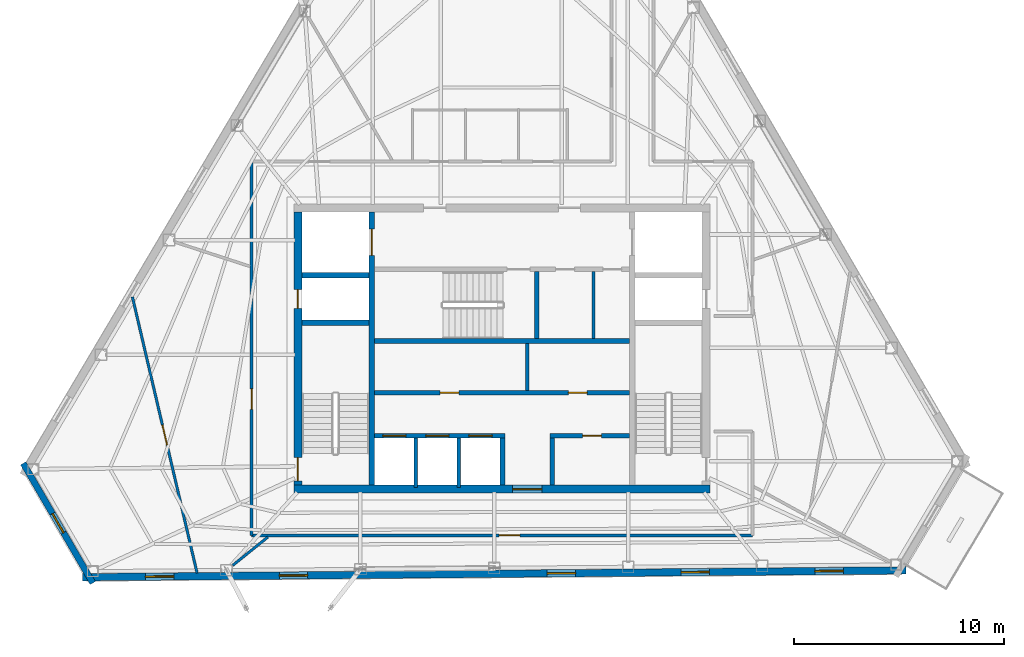
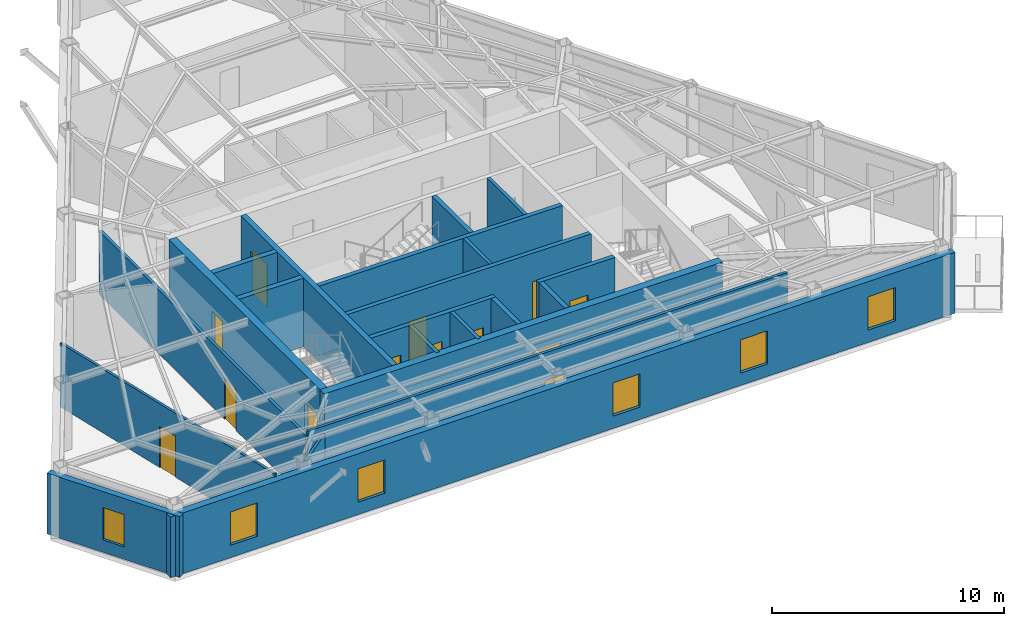
# One storey, part 6 of 10: 22 walls, 13 doors, 6 windows, 19 openings.
"""IFC4 building model written with IfcOpenShell, lengths in metres."""

from ifc_helpers import new_model, si_unit, direction, frame, frame_2d, origin, place, context, subcontext, project, spatial, rectangle, extrude, material, layer, layer_set, type_object, element, fill, save


model = new_model("IFC4")

# Units and contexts
model_context = context("Model", 3, precision=1e-05, world=origin(), true_north=direction((0.0, 1.0)))
body_context = subcontext(model_context, "Body", "Model", "MODEL_VIEW")
ifc_project = project(units=[si_unit("LENGTHUNIT", "METRE"), si_unit("AREAUNIT", "SQUARE_METRE"), si_unit("VOLUMEUNIT", "CUBIC_METRE"), si_unit("PLANEANGLEUNIT", "RADIAN"), si_unit("MASSUNIT", "GRAM", prefix="KILO")], contexts=[model_context])

# Site, building, storey
site_placement = place(None, origin())
site = spatial("IfcSite", under=ifc_project, at=site_placement, CompositionType="ELEMENT")
building_placement = place(site_placement, origin())
building = spatial("IfcBuilding", under=site, at=building_placement, Name="Kavelnor Concourse Tower", CompositionType="ELEMENT")
storey_placement = place(building_placement, frame((0.0, 0.0, 281.85009765625)))
storey = spatial("IfcBuildingStorey", under=building, at=storey_placement, Name="L71", CompositionType="ELEMENT", Elevation=281.85009765625)

# Wall, opening, door
ifc_material_1 = material(Name="Concrete C50/60", Category="concrete")
ifc_layer_1 = layer(ifc_material_1, 0.3798828125, Name="Concrete C50/60")
ifc_layer_set_1 = layer_set([ifc_layer_1], Name="Concrete C50/60")
wall_type_1 = type_object("IfcWallType", Name="WL-CORE-Z4-380", PredefinedType="SOLIDWALL", material=ifc_layer_set_1)
wall_1_placement = place(storey_placement, frame((28.10009765625, 9.409912109375, 0.0), z_axis=(0.0, 0.0, 1.0), x_axis=(1.0, 0.0, 0.0)))
wall_1 = element("IfcWall", 1, at=wall_1_placement, inside=storey, type_object=wall_type_1, Name="L71 Central Core South Shear Wall", PredefinedType="SOLIDWALL", context=body_context, shape_type="SweptSolid", body=[
    extrude(rectangle(XDim=19.7998046875, YDim=0.3798828125, at=frame_2d((9.89990234375, 0.0))), origin(), (0.0, 0.0, 1.0), 3.60986328125),
])
opening_1_placement = place(wall_1_placement, frame((10.39990234375, 0.0, 0.0)))
opening_1 = element("IfcOpeningElement", 2, at=opening_1_placement, cuts=wall_1, Name="Opening SD-140", PredefinedType="OPENING", context=body_context, shape_type="SweptSolid", body=[
    extrude(rectangle(XDim=1.39990234375, YDim=2.199951171875, at=frame_2d((0.699951171875, 1.10009765625))), frame((0.0, 0.199951171875, 0.0), z_axis=(0.0, -1.0, 0.0), x_axis=(1.0, 0.0, 0.0)), (0.0, 0.0, 1.0), 0.39990234375),
])
ifc_material_2 = material(Name="Solid-core hardwood timber", Category="wood")
door_type_1 = type_object("IfcDoorType", Name="DR-SUITE-ENTRY-1400", OperationType="NOTDEFINED", PredefinedType="DOOR", material=ifc_material_2)
door_1_placement = place(opening_1_placement, origin())
door_1 = element("IfcDoor", 3, at=door_1_placement, inside=storey, type_object=door_type_1, Name="L71 Passenger Lift Lobby Entry Door", OperationType="SINGLE_SWING_RIGHT", OverallHeight=2.199951171875, OverallWidth=1.39990234375, PredefinedType="DOOR", context=body_context, shape_type="SweptSolid", body=[
    extrude(rectangle(XDim=1.39990234375, YDim=2.199951171875, at=frame_2d((0.699951171875, 1.10009765625))), frame((0.0, 0.02490234375, 0.0), z_axis=(0.0, -1.0, 0.0), x_axis=(1.0, 0.0, 0.0)), (0.0, 0.0, 1.0), 0.050048828125),
])
fill(opening_1, door_1)

# Wall, openings, doors
wall_2_placement = place(storey_placement, frame((28.2900390625, 9.60009765625, 0.0), z_axis=(0.0, 0.0, 1.0), x_axis=(0.0, 1.0, 0.0)))
wall_2 = element("IfcWall", 4, at=wall_2_placement, inside=storey, type_object=wall_type_1, Name="L71 Central Core West Shear Wall", PredefinedType="SOLIDWALL", context=body_context, shape_type="SweptSolid", body=[
    extrude(rectangle(XDim=13.0, YDim=0.3798828125, at=frame_2d((6.5, 0.0))), origin(), (0.0, 0.0, 1.0), 3.60986328125),
])
opening_2_placement = place(wall_2_placement, frame((0.199951171875, 0.0, 0.0)))
opening_2 = element("IfcOpeningElement", 5, at=opening_2_placement, cuts=wall_2, Name="Opening FD-110", PredefinedType="OPENING", context=body_context, shape_type="SweptSolid", body=[
    extrude(rectangle(XDim=1.10009765625, YDim=2.14990234375, at=frame_2d((0.550048828125, 1.074951171875))), frame((0.0, 0.199951171875, 0.0), z_axis=(0.0, -1.0, 0.0), x_axis=(1.0, 0.0, 0.0)), (0.0, 0.0, 1.0), 0.39990234375),
])
opening_3_placement = place(wall_2_placement, frame((8.39990234375, 0.0, 0.0)))
opening_3 = element("IfcOpeningElement", 6, at=opening_3_placement, cuts=wall_2, Name="Opening FD-090", PredefinedType="OPENING", context=body_context, shape_type="SweptSolid", body=[
    extrude(rectangle(XDim=0.89990234375, YDim=2.10009765625, at=frame_2d((0.449951171875, 1.050048828125))), frame((0.0, 0.199951171875, 0.0), z_axis=(0.0, -1.0, 0.0), x_axis=(1.0, 0.0, 0.0)), (0.0, 0.0, 1.0), 0.39990234375),
])
ifc_material_3 = material(Name="Steel Grade 350", Category="steel")
door_type_2 = type_object("IfcDoorType", Name="DR-RISER-FIRE-900", OperationType="NOTDEFINED", PredefinedType="DOOR", material=ifc_material_3)
door_2_placement = place(opening_3_placement, origin())
door_2 = element("IfcDoor", 7, at=door_2_placement, inside=storey, type_object=door_type_2, Name="L71 West Riser Access Door", OperationType="SINGLE_SWING_RIGHT", OverallHeight=2.10009765625, OverallWidth=0.89990234375, PredefinedType="DOOR", context=body_context, shape_type="SweptSolid", body=[
    extrude(rectangle(XDim=0.89990234375, YDim=2.10009765625, at=frame_2d((0.449951171875, 1.050048828125))), frame((0.0, 0.02490234375, 0.0), z_axis=(0.0, -1.0, 0.0), x_axis=(1.0, 0.0, 0.0)), (0.0, 0.0, 1.0), 0.050048828125),
])
fill(opening_3, door_2)
door_type_3 = type_object("IfcDoorType", Name="DR-STAIR-FIRE-1100", OperationType="NOTDEFINED", PredefinedType="DOOR", material=ifc_material_3)
door_3_placement = place(opening_2_placement, origin())
door_3 = element("IfcDoor", 8, at=door_3_placement, inside=storey, type_object=door_type_3, Name="L71 Stair ST1 Fire Door", OperationType="SINGLE_SWING_LEFT", OverallHeight=2.14990234375, OverallWidth=1.10009765625, PredefinedType="DOOR", context=body_context, shape_type="SweptSolid", body=[
    extrude(rectangle(XDim=1.10009765625, YDim=2.14990234375, at=frame_2d((0.550048828125, 1.074951171875))), frame((0.0, 0.02490234375, 0.0), z_axis=(0.0, -1.0, 0.0), x_axis=(1.0, 0.0, 0.0)), (0.0, 0.0, 1.0), 0.050048828125),
])
fill(opening_2, door_3)

# Wall, opening, window
ifc_material_4 = material(Name="Buff ironspot clay face brick masonry", Category="masonry")
ifc_layer_2 = layer(ifc_material_4, 0.300048828125, Name="Buff ironspot clay face brick masonry")
ifc_layer_set_2 = layer_set([ifc_layer_2], Name="Buff ironspot clay face brick masonry")
wall_type_2 = type_object("IfcWallType", Name="WL-EXT-BUFF-BRICK-FOLD-300", PredefinedType="STANDARD", material=ifc_layer_set_2)
wall_3_placement = place(storey_placement, frame((18.532470703125, 4.939697265625, 0.0), z_axis=(0.0, 0.0, 1.0), x_axis=(-0.502683595053, 0.864470475646, 0.0)))
wall_3 = element("IfcWall", 9, at=wall_3_placement, inside=storey, type_object=wall_type_2, Name="L71 Exterior Brick Facade Wall E2", PredefinedType="STANDARD", context=body_context, shape_type="SweptSolid", body=[
    extrude(rectangle(XDim=6.586181640625, YDim=0.300048828125, at=frame_2d((3.29296875, 0.0))), origin(), (0.0, 0.0, 1.0), 3.19580078125),
])
opening_4_placement = place(wall_3_placement, frame((2.76806640625, 0.0, 0.64990234375)))
opening_4 = element("IfcOpeningElement", 10, at=opening_4_placement, cuts=wall_3, Name="Opening W-06", PredefinedType="OPENING", context=body_context, shape_type="SweptSolid", body=[
    extrude(rectangle(XDim=1.050048828125, YDim=1.699951171875, at=frame_2d((0.52490234375, 0.85009765625))), frame((0.0, 0.16015625, 0.0), z_axis=(0.0, -1.0, 0.0), x_axis=(1.0, 0.0, 0.0)), (0.0, 0.0, 1.0), 0.320068359375),
])
ifc_material_5 = material(Name="Double low-E argon insulated glazing", Category="glass")
window_type_1 = type_object("IfcWindowType", Name="WIN-FOLD-1050", PartitioningType="SINGLE_PANEL", PredefinedType="WINDOW", material=ifc_material_5)
window_1_placement = place(opening_4_placement, origin())
window_1 = element("IfcWindow", 11, at=window_1_placement, inside=storey, type_object=window_type_1, Name="L71 Chamfer-Fold Facet Window C1", OverallHeight=1.699951171875, OverallWidth=1.050048828125, PartitioningType="SINGLE_PANEL", PredefinedType="WINDOW", context=body_context, shape_type="SweptSolid", body=[
    extrude(rectangle(XDim=1.050048828125, YDim=1.699951171875, at=frame_2d((0.52490234375, 0.85009765625))), frame((0.0, 0.030029296875, 0.0), z_axis=(0.0, -1.0, 0.0), x_axis=(1.0, 0.0, 0.0)), (0.0, 0.0, 1.0), 0.06005859375),
])
fill(opening_4, window_1)

# Wall, openings, windows
ifc_material_6 = material(Name="Red-ochre clay face brick masonry", Category="masonry")
ifc_layer_3 = layer(ifc_material_6, 0.35009765625, Name="Red-ochre clay face brick masonry")
ifc_layer_set_3 = layer_set([ifc_layer_3], Name="Red-ochre clay face brick masonry")
wall_type_3 = type_object("IfcWallType", Name="WL-EXT-RED-BRICK-PIER-350", PredefinedType="STANDARD", material=ifc_layer_set_3)
wall_4_placement = place(storey_placement, frame((57.21240234375, 5.538818359375, 0.0), z_axis=(0.0, 0.0, 1.0), x_axis=(-0.999965837877, -0.008265777521, 0.0)))
wall_4 = element("IfcWall", 12, at=wall_4_placement, inside=storey, type_object=wall_type_3, Name="L71 Exterior Brick Facade Wall E3", PredefinedType="STANDARD", context=body_context, shape_type="SweptSolid", body=[
    extrude(rectangle(XDim=39.1650390625, YDim=0.35009765625, at=frame_2d((19.58251953125, 0.0))), origin(), (0.0, 0.0, 1.0), 3.19580078125),
])
opening_5_placement = place(wall_4_placement, frame((34.82666015625, 0.0, 0.64990234375)))
opening_5 = element("IfcOpeningElement", 13, at=opening_5_placement, cuts=wall_4, Name="Opening W-04", PredefinedType="OPENING", context=body_context, shape_type="SweptSolid", body=[
    extrude(rectangle(XDim=1.35009765625, YDim=1.75, at=frame_2d((0.675048828125, 0.875))), frame((0.0, 0.18505859375, 0.0), z_axis=(0.0, -1.0, 0.0), x_axis=(1.0, 0.0, 0.0)), (0.0, 0.0, 1.0), 0.3701171875),
])
opening_6_placement = place(wall_4_placement, frame((28.45751953125, 0.0, 0.64990234375)))
opening_6 = element("IfcOpeningElement", 14, at=opening_6_placement, cuts=wall_4, Name="Opening W-04", PredefinedType="OPENING", context=body_context, shape_type="SweptSolid", body=[
    extrude(rectangle(XDim=1.35009765625, YDim=1.75, at=frame_2d((0.675048828125, 0.875))), frame((0.0, 0.18505859375, 0.0), z_axis=(0.0, -1.0, 0.0), x_axis=(1.0, 0.0, 0.0)), (0.0, 0.0, 1.0), 0.3701171875),
])
opening_7_placement = place(wall_4_placement, frame((15.718994140625, 0.0, 0.64990234375)))
opening_7 = element("IfcOpeningElement", 15, at=opening_7_placement, cuts=wall_4, Name="Opening W-04", PredefinedType="OPENING", context=body_context, shape_type="SweptSolid", body=[
    extrude(rectangle(XDim=1.35009765625, YDim=1.75, at=frame_2d((0.675048828125, 0.875))), frame((0.0, 0.18505859375, 0.0), z_axis=(0.0, -1.0, 0.0), x_axis=(1.0, 0.0, 0.0)), (0.0, 0.0, 1.0), 0.3701171875),
])
opening_8_placement = place(wall_4_placement, frame((9.349609375, 0.0, 0.64990234375)))
opening_8 = element("IfcOpeningElement", 16, at=opening_8_placement, cuts=wall_4, Name="Opening W-04", PredefinedType="OPENING", context=body_context, shape_type="SweptSolid", body=[
    extrude(rectangle(XDim=1.35009765625, YDim=1.75, at=frame_2d((0.675048828125, 0.875))), frame((0.0, 0.18505859375, 0.0), z_axis=(0.0, -1.0, 0.0), x_axis=(1.0, 0.0, 0.0)), (0.0, 0.0, 1.0), 0.3701171875),
])
opening_9_placement = place(wall_4_placement, frame((2.98046875, 0.0, 0.64990234375)))
opening_9 = element("IfcOpeningElement", 17, at=opening_9_placement, cuts=wall_4, Name="Opening W-04", PredefinedType="OPENING", context=body_context, shape_type="SweptSolid", body=[
    extrude(rectangle(XDim=1.35009765625, YDim=1.75, at=frame_2d((0.675048828125, 0.875))), frame((0.0, 0.18505859375, 0.0), z_axis=(0.0, -1.0, 0.0), x_axis=(1.0, 0.0, 0.0)), (0.0, 0.0, 1.0), 0.3701171875),
])
window_type_2 = type_object("IfcWindowType", Name="WIN-PIER-Z4-1350", PartitioningType="SINGLE_PANEL", PredefinedType="WINDOW", material=ifc_material_5)
window_2_placement = place(opening_5_placement, origin())
window_2 = element("IfcWindow", 18, at=window_2_placement, inside=storey, type_object=window_type_2, Name="L71 Deep-Set Brick Pier Window F1-B0", OverallHeight=1.75, OverallWidth=1.35009765625, PartitioningType="SINGLE_PANEL", PredefinedType="WINDOW", context=body_context, shape_type="SweptSolid", body=[
    extrude(rectangle(XDim=1.35009765625, YDim=1.75, at=frame_2d((0.675048828125, 0.875))), frame((0.0, 0.030029296875, 0.0), z_axis=(0.0, -1.0, 0.0), x_axis=(1.0, 0.0, 0.0)), (0.0, 0.0, 1.0), 0.06005859375),
])
fill(opening_5, window_2)
window_3_placement = place(opening_6_placement, origin())
window_3 = element("IfcWindow", 19, at=window_3_placement, inside=storey, type_object=window_type_2, Name="L71 Deep-Set Brick Pier Window F1-B1", OverallHeight=1.75, OverallWidth=1.35009765625, PartitioningType="SINGLE_PANEL", PredefinedType="WINDOW", context=body_context, shape_type="SweptSolid", body=[
    extrude(rectangle(XDim=1.35009765625, YDim=1.75, at=frame_2d((0.675048828125, 0.875))), frame((0.0, 0.030029296875, 0.0), z_axis=(0.0, -1.0, 0.0), x_axis=(1.0, 0.0, 0.0)), (0.0, 0.0, 1.0), 0.06005859375),
])
fill(opening_6, window_3)
window_4_placement = place(opening_7_placement, origin())
window_4 = element("IfcWindow", 20, at=window_4_placement, inside=storey, type_object=window_type_2, Name="L71 Deep-Set Brick Pier Window F1-B3", OverallHeight=1.75, OverallWidth=1.35009765625, PartitioningType="SINGLE_PANEL", PredefinedType="WINDOW", context=body_context, shape_type="SweptSolid", body=[
    extrude(rectangle(XDim=1.35009765625, YDim=1.75, at=frame_2d((0.675048828125, 0.875))), frame((0.0, 0.030029296875, 0.0), z_axis=(0.0, -1.0, 0.0), x_axis=(1.0, 0.0, 0.0)), (0.0, 0.0, 1.0), 0.06005859375),
])
fill(opening_7, window_4)
window_5_placement = place(opening_8_placement, origin())
window_5 = element("IfcWindow", 21, at=window_5_placement, inside=storey, type_object=window_type_2, Name="L71 Deep-Set Brick Pier Window F1-B4", OverallHeight=1.75, OverallWidth=1.35009765625, PartitioningType="SINGLE_PANEL", PredefinedType="WINDOW", context=body_context, shape_type="SweptSolid", body=[
    extrude(rectangle(XDim=1.35009765625, YDim=1.75, at=frame_2d((0.675048828125, 0.875))), frame((0.0, 0.030029296875, 0.0), z_axis=(0.0, -1.0, 0.0), x_axis=(1.0, 0.0, 0.0)), (0.0, 0.0, 1.0), 0.06005859375),
])
fill(opening_8, window_5)
window_6_placement = place(opening_9_placement, origin())
window_6 = element("IfcWindow", 22, at=window_6_placement, inside=storey, type_object=window_type_2, Name="L71 Deep-Set Brick Pier Window F1-B5", OverallHeight=1.75, OverallWidth=1.35009765625, PartitioningType="SINGLE_PANEL", PredefinedType="WINDOW", context=body_context, shape_type="SweptSolid", body=[
    extrude(rectangle(XDim=1.35009765625, YDim=1.75, at=frame_2d((0.675048828125, 0.875))), frame((0.0, 0.030029296875, 0.0), z_axis=(0.0, -1.0, 0.0), x_axis=(1.0, 0.0, 0.0)), (0.0, 0.0, 1.0), 0.06005859375),
])
fill(opening_9, window_6)

# Wall, opening, door
ifc_material_7 = material(Name="Gypsum plasterboard on light-gauge steel studs", Category="steel")
ifc_layer_4 = layer(ifc_material_7, 0.14501953125, Name="Gypsum plasterboard on light-gauge steel studs")
ifc_layer_set_4 = layer_set([ifc_layer_4], Name="Gypsum plasterboard on light-gauge steel studs")
wall_type_4 = type_object("IfcWallType", Name="WL-INT-CORR-145", PredefinedType="PARTITIONING", material=ifc_layer_set_4)
wall_5_placement = place(storey_placement, frame((49.909912109375, 7.2099609375, 0.0), z_axis=(0.0, 0.0, 1.0), x_axis=(-1.0, 0.0, 0.0)))
wall_5 = element("IfcWall", 23, at=wall_5_placement, inside=storey, type_object=wall_type_4, Name="L71 Corridor Wall WL-L71-CR-09", PredefinedType="PARTITIONING", context=body_context, shape_type="SweptSolid", body=[
    extrude(rectangle(XDim=23.81982421875, YDim=0.14501953125, at=frame_2d((11.909912109375, 0.0))), origin(), (0.0, 0.0, 1.0), 3.60986328125),
])
opening_10_placement = place(wall_5_placement, frame((11.06494140625, 0.0, 0.0)))
opening_10 = element("IfcOpeningElement", 24, at=opening_10_placement, cuts=wall_5, Name="Opening OD-098", PredefinedType="OPENING", context=body_context, shape_type="SweptSolid", body=[
    extrude(rectangle(XDim=0.97998046875, YDim=2.14990234375, at=frame_2d((0.489990234375, 1.074951171875))), frame((0.0, 0.08251953125, 0.0), z_axis=(0.0, -1.0, 0.0), x_axis=(1.0, 0.0, 0.0)), (0.0, 0.0, 1.0), 0.1650390625),
])
door_type_4 = type_object("IfcDoorType", Name="DR-OFFICE-980", OperationType="NOTDEFINED", PredefinedType="DOOR", material=ifc_material_2)
door_4_placement = place(opening_10_placement, origin())
door_4 = element("IfcDoor", 25, at=door_4_placement, inside=storey, type_object=door_type_4, Name="L71 Tenant Bookstore Retail Shop 07 Door", OperationType="SINGLE_SWING_LEFT", OverallHeight=2.14990234375, OverallWidth=0.97998046875, PredefinedType="DOOR", context=body_context, shape_type="SweptSolid", body=[
    extrude(rectangle(XDim=0.97998046875, YDim=2.14990234375, at=frame_2d((0.489990234375, 1.074951171875))), frame((0.0, 0.02490234375, 0.0), z_axis=(0.0, -1.0, 0.0), x_axis=(1.0, 0.0, 0.0)), (0.0, 0.0, 1.0), 0.050048828125),
])
fill(opening_10, door_4)

wall_6_placement = place(storey_placement, frame((26.090087890625, 7.2099609375, 0.0), z_axis=(0.0, 0.0, 1.0), x_axis=(0.0, 1.0, 0.0)))
wall_6 = element("IfcWall", 26, at=wall_6_placement, inside=storey, type_object=wall_type_4, Name="L71 Corridor Wall WL-L71-CR-10", PredefinedType="PARTITIONING", context=body_context, shape_type="SweptSolid", body=[
    extrude(rectangle(XDim=17.780029296875, YDim=0.14501953125, at=frame_2d((8.89013671875, 0.0))), origin(), (0.0, 0.0, 1.0), 3.348876953125),
])
opening_11_placement = place(wall_6_placement, frame((5.989013671875, 0.0, 0.0)))
opening_11 = element("IfcOpeningElement", 27, at=opening_11_placement, cuts=wall_6, Name="Opening OD-098", PredefinedType="OPENING", context=body_context, shape_type="SweptSolid", body=[
    extrude(rectangle(XDim=0.97998046875, YDim=2.14990234375, at=frame_2d((0.489990234375, 1.074951171875))), frame((0.0, 0.08251953125, 0.0), z_axis=(0.0, -1.0, 0.0), x_axis=(1.0, 0.0, 0.0)), (0.0, 0.0, 1.0), 0.1650390625),
])
door_5_placement = place(opening_11_placement, origin())
door_5 = element("IfcDoor", 28, at=door_5_placement, inside=storey, type_object=door_type_4, Name="L71 Architectural Design Studio 05 Door", OperationType="SINGLE_SWING_LEFT", OverallHeight=2.14990234375, OverallWidth=0.97998046875, PredefinedType="DOOR", context=body_context, shape_type="SweptSolid", body=[
    extrude(rectangle(XDim=0.97998046875, YDim=2.14990234375, at=frame_2d((0.489990234375, 1.074951171875))), frame((0.0, 0.02490234375, 0.0), z_axis=(0.0, -1.0, 0.0), x_axis=(1.0, 0.0, 0.0)), (0.0, 0.0, 1.0), 0.050048828125),
])
fill(opening_11, door_5)

# Walls
ifc_layer_5 = layer(ifc_material_7, 0.1650390625, Name="Gypsum plasterboard on light-gauge steel studs")
ifc_layer_set_5 = layer_set([ifc_layer_5], Name="Gypsum plasterboard on light-gauge steel studs")
wall_type_5 = type_object("IfcWallType", Name="WL-INT-FIRE-165", PredefinedType="PARTITIONING", material=ifc_layer_set_5)
for number, where, z_axis, x_axis, name in (
    (29, (33.89990234375, 9.489990234375, 0.0), (0.0, 0.0, 1.0), (0.0, 1.0, 0.0), "L71 Lift Shaft Divider LP7"),
    (30, (35.949951171875, 9.489990234375, 0.0), (0.0, 0.0, 1.0), (0.0, 1.0, 0.0), "L71 Lift Shaft Divider LP8"),
):
    element("IfcWall", number, at=place(storey_placement, frame(where, z_axis=z_axis, x_axis=x_axis)), inside=storey, type_object=wall_type_5, Name=name, PredefinedType="PARTITIONING", context=body_context, shape_type="SweptSolid", body=[
        extrude(rectangle(XDim=2.35009765625, YDim=0.1650390625, at=frame_2d((1.175048828125, 0.0))), origin(), (0.0, 0.0, 1.0), 3.60986328125),
    ])
wall_7_placement = place(storey_placement, frame((39.199951171875, 14.10009765625, 0.0), z_axis=(0.0, 0.0, 1.0), x_axis=(0.0, 1.0, 0.0)))
element("IfcWall", 31, at=wall_7_placement, inside=storey, type_object=wall_type_5, Name="L71 Reclaimed Core Partition C", PredefinedType="PARTITIONING", context=body_context, shape_type="SweptSolid", body=[
    extrude(rectangle(XDim=2.239990234375, YDim=0.1650390625, at=frame_2d((1.1201171875, 0.0))), origin(), (0.0, 0.0, 1.0), 3.60986328125),
])
wall_8_placement = place(storey_placement, frame((42.35009765625, 16.56005859375, 0.0), z_axis=(0.0, 0.0, 1.0), x_axis=(0.0, 1.0, 0.0)))
element("IfcWall", 32, at=wall_8_placement, inside=storey, type_object=wall_type_5, Name="L71 Core Support Asymmetric Divider", PredefinedType="PARTITIONING", context=body_context, shape_type="SweptSolid", body=[
    extrude(rectangle(XDim=3.199951171875, YDim=0.1650390625, at=frame_2d((1.60009765625, 0.0))), origin(), (0.0, 0.0, 1.0), 3.60986328125),
])
ifc_layer_6 = layer(ifc_material_7, 0.125, Name="Gypsum plasterboard on light-gauge steel studs")
ifc_layer_set_6 = layer_set([ifc_layer_6], Name="Gypsum plasterboard on light-gauge steel studs")
wall_type_6 = type_object("IfcWallType", Name="WL-INT-SUITE-125", PredefinedType="PARTITIONING", material=ifc_layer_set_6)
wall_9_placement = place(storey_placement, frame((26.864990234375, 7.12939453125, 0.0), z_axis=(0.0, 0.0, 1.0), x_axis=(-0.778737044486, -0.627350472658, 0.0)))
element("IfcWall", 33, at=wall_9_placement, inside=storey, type_object=wall_type_6, Name="L71 Radial Suite Partition 05", PredefinedType="PARTITIONING", context=body_context, shape_type="SweptSolid", body=[
    extrude(rectangle(XDim=2.1611328125, YDim=0.125, at=frame_2d((1.08056640625, 0.0))), origin(), (0.0, 0.0, 1.0), 3.245849609375),
])

# Wall, opening, door
wall_10_placement = place(storey_placement, frame((20.41552734375, 18.5498046875, 0.0), z_axis=(0.0, 0.0, 1.0), x_axis=(0.228070207972, -0.973644688906, 0.0)))
wall_10 = element("IfcWall", 34, at=wall_10_placement, inside=storey, type_object=wall_type_6, Name="L71 Suite Subdivision Partition 04", PredefinedType="PARTITIONING", context=body_context, shape_type="SweptSolid", body=[
    extrude(rectangle(XDim=13.495361328125, YDim=0.125, at=frame_2d((6.74755859375, 0.0))), origin(), (0.0, 0.0, 1.0), 3.348876953125),
])
opening_12_placement = place(wall_10_placement, frame((6.257568359375, 0.0, 0.0)))
opening_12 = element("IfcOpeningElement", 35, at=opening_12_placement, cuts=wall_10, Name="Opening OD-098", PredefinedType="OPENING", context=body_context, shape_type="SweptSolid", body=[
    extrude(rectangle(XDim=0.97998046875, YDim=2.14990234375, at=frame_2d((0.489990234375, 1.074951171875))), frame((0.0, 0.072509765625, 0.0), z_axis=(0.0, -1.0, 0.0), x_axis=(1.0, 0.0, 0.0)), (0.0, 0.0, 1.0), 0.14501953125),
])
door_6_placement = place(opening_12_placement, origin())
door_6 = element("IfcDoor", 36, at=door_6_placement, inside=storey, type_object=door_type_4, Name="L71 Architectural Design Studio 06 Door", OperationType="SINGLE_SWING_RIGHT", OverallHeight=2.14990234375, OverallWidth=0.97998046875, PredefinedType="DOOR", context=body_context, shape_type="SweptSolid", body=[
    extrude(rectangle(XDim=0.97998046875, YDim=2.14990234375, at=frame_2d((0.489990234375, 1.074951171875))), frame((0.0, 0.02490234375, 0.0), z_axis=(0.0, -1.0, 0.0), x_axis=(1.0, 0.0, 0.0)), (0.0, 0.0, 1.0), 0.050048828125),
])
fill(opening_12, door_6)

# Walls
ifc_layer_7 = layer(ifc_material_1, 0.219970703125, Name="Concrete C50/60")
ifc_layer_set_7 = layer_set([ifc_layer_7], Name="Concrete C50/60")
wall_type_7 = type_object("IfcWallType", Name="WL-SHAFT-220", PredefinedType="SOLIDWALL", material=ifc_layer_set_7)
wall_11_placement = place(storey_placement, frame((31.93994140625, 16.449951171875, 0.0), z_axis=(0.0, 0.0, 1.0), x_axis=(1.0, 0.0, 0.0)))
element("IfcWall", 37, at=wall_11_placement, inside=storey, type_object=wall_type_7, Name="L71 Stair ST3 South Core Wall", PredefinedType="SOLIDWALL", context=body_context, shape_type="SweptSolid", body=[
    extrude(rectangle(XDim=12.1201171875, YDim=0.219970703125, at=frame_2d((6.06005859375, 0.0))), origin(), (0.0, 0.0, 1.0), 3.60986328125),
])
wall_12_placement = place(storey_placement, frame((39.64990234375, 16.56005859375, 0.0), z_axis=(0.0, 0.0, 1.0), x_axis=(0.0, 1.0, 0.0)))
element("IfcWall", 38, at=wall_12_placement, inside=storey, type_object=wall_type_7, Name="L71 Stair ST3 East Core Wall", PredefinedType="SOLIDWALL", context=body_context, shape_type="SweptSolid", body=[
    extrude(rectangle(XDim=3.199951171875, YDim=0.219970703125, at=frame_2d((1.60009765625, 0.0))), origin(), (0.0, 0.0, 1.0), 3.60986328125),
])

# Wall, openings, doors
wall_13_placement = place(storey_placement, frame((31.93994140625, 13.989990234375, 0.0), z_axis=(0.0, 0.0, 1.0), x_axis=(1.0, 0.0, 0.0)))
wall_13 = element("IfcWall", 39, at=wall_13_placement, inside=storey, type_object=wall_type_7, Name="L71 North Lift Row Shaft Wall", PredefinedType="SOLIDWALL", context=body_context, shape_type="SweptSolid", body=[
    extrude(rectangle(XDim=12.1201171875, YDim=0.219970703125, at=frame_2d((6.06005859375, 0.0))), origin(), (0.0, 0.0, 1.0), 3.60986328125),
])
opening_13_placement = place(wall_13_placement, frame((3.110107421875, 0.0, 0.0)))
opening_13 = element("IfcOpeningElement", 40, at=opening_13_placement, cuts=wall_13, Name="Opening FD-090", PredefinedType="OPENING", context=body_context, shape_type="SweptSolid", body=[
    extrude(rectangle(XDim=0.89990234375, YDim=2.10009765625, at=frame_2d((0.449951171875, 1.050048828125))), frame((0.0, 0.1201171875, 0.0), z_axis=(0.0, -1.0, 0.0), x_axis=(1.0, 0.0, 0.0)), (0.0, 0.0, 1.0), 0.239990234375),
])
opening_14_placement = place(wall_13_placement, frame((9.2099609375, 0.0, 0.0)))
opening_14 = element("IfcOpeningElement", 41, at=opening_14_placement, cuts=wall_13, Name="Opening FD-090", PredefinedType="OPENING", context=body_context, shape_type="SweptSolid", body=[
    extrude(rectangle(XDim=0.89990234375, YDim=2.10009765625, at=frame_2d((0.449951171875, 1.050048828125))), frame((0.0, 0.1201171875, 0.0), z_axis=(0.0, -1.0, 0.0), x_axis=(1.0, 0.0, 0.0)), (0.0, 0.0, 1.0), 0.239990234375),
])
door_7_placement = place(opening_13_placement, origin())
door_7 = element("IfcDoor", 42, at=door_7_placement, inside=storey, type_object=door_type_2, Name="L71 Lounge Pantry Door", OperationType="SINGLE_SWING_LEFT", OverallHeight=2.10009765625, OverallWidth=0.89990234375, PredefinedType="DOOR", context=body_context, shape_type="SweptSolid", body=[
    extrude(rectangle(XDim=0.89990234375, YDim=2.10009765625, at=frame_2d((0.449951171875, 1.050048828125))), frame((0.0, 0.02490234375, 0.0), z_axis=(0.0, -1.0, 0.0), x_axis=(1.0, 0.0, 0.0)), (0.0, 0.0, 1.0), 0.050048828125),
])
fill(opening_13, door_7)
door_8_placement = place(opening_14_placement, origin())
door_8 = element("IfcDoor", 43, at=door_8_placement, inside=storey, type_object=door_type_2, Name="L71 Facilities Store Door", OperationType="SINGLE_SWING_RIGHT", OverallHeight=2.10009765625, OverallWidth=0.89990234375, PredefinedType="DOOR", context=body_context, shape_type="SweptSolid", body=[
    extrude(rectangle(XDim=0.89990234375, YDim=2.10009765625, at=frame_2d((0.449951171875, 1.050048828125))), frame((0.0, 0.02490234375, 0.0), z_axis=(0.0, -1.0, 0.0), x_axis=(1.0, 0.0, 0.0)), (0.0, 0.0, 1.0), 0.050048828125),
])
fill(opening_14, door_8)

wall_14_placement = place(storey_placement, frame((31.93994140625, 11.949951171875, 0.0), z_axis=(0.0, 0.0, 1.0), x_axis=(1.0, 0.0, 0.0)))
wall_14 = element("IfcWall", 44, at=wall_14_placement, inside=storey, type_object=wall_type_7, Name="L71 High-Rise Lift Bank North Wall", PredefinedType="SOLIDWALL", context=body_context, shape_type="SweptSolid", body=[
    extrude(rectangle(XDim=6.18994140625, YDim=0.219970703125, at=frame_2d((3.094970703125, 0.0))), origin(), (0.0, 0.0, 1.0), 3.60986328125),
])
opening_15_placement = place(wall_14_placement, frame((0.385009765625, 0.0, 0.0)))
opening_15 = element("IfcOpeningElement", 45, at=opening_15_placement, cuts=wall_14, Name="Opening LD-110", PredefinedType="OPENING", context=body_context, shape_type="SweptSolid", body=[
    extrude(rectangle(XDim=1.10009765625, YDim=2.199951171875, at=frame_2d((0.550048828125, 1.10009765625))), frame((0.0, 0.1201171875, 0.0), z_axis=(0.0, -1.0, 0.0), x_axis=(1.0, 0.0, 0.0)), (0.0, 0.0, 1.0), 0.239990234375),
])
opening_16_placement = place(wall_14_placement, frame((2.43505859375, 0.0, 0.0)))
opening_16 = element("IfcOpeningElement", 46, at=opening_16_placement, cuts=wall_14, Name="Opening LD-110", PredefinedType="OPENING", context=body_context, shape_type="SweptSolid", body=[
    extrude(rectangle(XDim=1.10009765625, YDim=2.199951171875, at=frame_2d((0.550048828125, 1.10009765625))), frame((0.0, 0.1201171875, 0.0), z_axis=(0.0, -1.0, 0.0), x_axis=(1.0, 0.0, 0.0)), (0.0, 0.0, 1.0), 0.239990234375),
])
opening_17_placement = place(wall_14_placement, frame((4.485107421875, 0.0, 0.0)))
opening_17 = element("IfcOpeningElement", 47, at=opening_17_placement, cuts=wall_14, Name="Opening LD-110", PredefinedType="OPENING", context=body_context, shape_type="SweptSolid", body=[
    extrude(rectangle(XDim=1.10009765625, YDim=2.199951171875, at=frame_2d((0.550048828125, 1.10009765625))), frame((0.0, 0.1201171875, 0.0), z_axis=(0.0, -1.0, 0.0), x_axis=(1.0, 0.0, 0.0)), (0.0, 0.0, 1.0), 0.239990234375),
])
door_type_5 = type_object("IfcDoorType", Name="DR-LIFT-SLIDING-1100", OperationType="NOTDEFINED", PredefinedType="DOOR", material=ifc_material_3)
door_9_placement = place(opening_15_placement, origin())
door_9 = element("IfcDoor", 48, at=door_9_placement, inside=storey, type_object=door_type_5, Name="L71 Lift LP7 Landing Door", OperationType="DOUBLE_DOOR_SLIDING", OverallHeight=2.199951171875, OverallWidth=1.10009765625, PredefinedType="DOOR", context=body_context, shape_type="SweptSolid", body=[
    extrude(rectangle(XDim=1.10009765625, YDim=2.199951171875, at=frame_2d((0.550048828125, 1.10009765625))), frame((0.0, 0.02490234375, 0.0), z_axis=(0.0, -1.0, 0.0), x_axis=(1.0, 0.0, 0.0)), (0.0, 0.0, 1.0), 0.050048828125),
])
fill(opening_15, door_9)
door_10_placement = place(opening_16_placement, origin())
door_10 = element("IfcDoor", 49, at=door_10_placement, inside=storey, type_object=door_type_5, Name="L71 Lift LP8 Landing Door", OperationType="DOUBLE_DOOR_SLIDING", OverallHeight=2.199951171875, OverallWidth=1.10009765625, PredefinedType="DOOR", context=body_context, shape_type="SweptSolid", body=[
    extrude(rectangle(XDim=1.10009765625, YDim=2.199951171875, at=frame_2d((0.550048828125, 1.10009765625))), frame((0.0, 0.02490234375, 0.0), z_axis=(0.0, -1.0, 0.0), x_axis=(1.0, 0.0, 0.0)), (0.0, 0.0, 1.0), 0.050048828125),
])
fill(opening_16, door_10)
door_11_placement = place(opening_17_placement, origin())
door_11 = element("IfcDoor", 50, at=door_11_placement, inside=storey, type_object=door_type_5, Name="L71 Lift LP9 Landing Door", OperationType="DOUBLE_DOOR_SLIDING", OverallHeight=2.199951171875, OverallWidth=1.10009765625, PredefinedType="DOOR", context=body_context, shape_type="SweptSolid", body=[
    extrude(rectangle(XDim=1.10009765625, YDim=2.199951171875, at=frame_2d((0.550048828125, 1.10009765625))), frame((0.0, 0.02490234375, 0.0), z_axis=(0.0, -1.0, 0.0), x_axis=(1.0, 0.0, 0.0)), (0.0, 0.0, 1.0), 0.050048828125),
])
fill(opening_17, door_11)

# Wall, opening, door
wall_15_placement = place(storey_placement, frame((40.280029296875, 11.949951171875, 0.0), z_axis=(0.0, 0.0, 1.0), x_axis=(1.0, 0.0, 0.0)))
wall_15 = element("IfcWall", 51, at=wall_15_placement, inside=storey, type_object=wall_type_7, Name="L71 Core South Support North Wall", PredefinedType="SOLIDWALL", context=body_context, shape_type="SweptSolid", body=[
    extrude(rectangle(XDim=3.780029296875, YDim=0.219970703125, at=frame_2d((1.89013671875, 0.0))), origin(), (0.0, 0.0, 1.0), 3.60986328125),
])
opening_18_placement = place(wall_15_placement, frame((1.550048828125, 0.0, 0.0)))
opening_18 = element("IfcOpeningElement", 52, at=opening_18_placement, cuts=wall_15, Name="Opening FD-090", PredefinedType="OPENING", context=body_context, shape_type="SweptSolid", body=[
    extrude(rectangle(XDim=0.89990234375, YDim=2.10009765625, at=frame_2d((0.449951171875, 1.050048828125))), frame((0.0, 0.1201171875, 0.0), z_axis=(0.0, -1.0, 0.0), x_axis=(1.0, 0.0, 0.0)), (0.0, 0.0, 1.0), 0.239990234375),
])
door_12_placement = place(opening_18_placement, origin())
door_12 = element("IfcDoor", 53, at=door_12_placement, inside=storey, type_object=door_type_2, Name="L71 Core Utility Store Door", OperationType="SINGLE_SWING_LEFT", OverallHeight=2.10009765625, OverallWidth=0.89990234375, PredefinedType="DOOR", context=body_context, shape_type="SweptSolid", body=[
    extrude(rectangle(XDim=0.89990234375, YDim=2.10009765625, at=frame_2d((0.449951171875, 1.050048828125))), frame((0.0, 0.02490234375, 0.0), z_axis=(0.0, -1.0, 0.0), x_axis=(1.0, 0.0, 0.0)), (0.0, 0.0, 1.0), 0.050048828125),
])
fill(opening_18, door_12)

# Walls
for number, where, z_axis, x_axis, name in (
    (54, (38.02001953125, 9.60009765625, 0.0), (0.0, 0.0, 1.0), (0.0, 1.0, 0.0), "L71 Lift Lobby Throat West Wall"),
    (55, (40.389892578125, 9.60009765625, 0.0), (0.0, 0.0, 1.0), (0.0, 1.0, 0.0), "L71 Lift Lobby Throat East Wall"),
):
    element("IfcWall", number, at=place(storey_placement, frame(where, z_axis=z_axis, x_axis=x_axis)), inside=storey, type_object=wall_type_7, Name=name, PredefinedType="SOLIDWALL", context=body_context, shape_type="SweptSolid", body=[
        extrude(rectangle(XDim=2.239990234375, YDim=0.219970703125, at=frame_2d((1.1201171875, 0.0))), origin(), (0.0, 0.0, 1.0), 3.60986328125),
    ])

# Wall, opening, door
ifc_layer_8 = layer(ifc_material_1, 0.260009765625, Name="Concrete C50/60")
ifc_layer_set_8 = layer_set([ifc_layer_8], Name="Concrete C50/60")
wall_type_8 = type_object("IfcWallType", Name="WL-SHAFT-260", PredefinedType="SHEAR", material=ifc_layer_set_8)
wall_16_placement = place(storey_placement, frame((31.81005859375, 9.60009765625, 0.0), z_axis=(0.0, 0.0, 1.0), x_axis=(0.0, 1.0, 0.0)))
wall_16 = element("IfcWall", 56, at=wall_16_placement, inside=storey, type_object=wall_type_8, Name="L71 Core West Wing Shear Wall", PredefinedType="SHEAR", context=body_context, shape_type="SweptSolid", body=[
    extrude(rectangle(XDim=13.0, YDim=0.260009765625, at=frame_2d((6.5, 0.0))), origin(), (0.0, 0.0, 1.0), 3.60986328125),
])
opening_19_placement = place(wall_16_placement, frame((10.925048828125, 0.0, 0.0)))
opening_19 = element("IfcOpeningElement", 57, at=opening_19_placement, cuts=wall_16, Name="Opening LD-125", PredefinedType="OPENING", context=body_context, shape_type="SweptSolid", body=[
    extrude(rectangle(XDim=1.25, YDim=2.25, at=frame_2d((0.625, 1.125))), frame((0.0, 0.14013671875, 0.0), z_axis=(0.0, -1.0, 0.0), x_axis=(1.0, 0.0, 0.0)), (0.0, 0.0, 1.0), 0.280029296875),
])
door_type_6 = type_object("IfcDoorType", Name="DR-LIFT-SLIDING-1250", OperationType="NOTDEFINED", PredefinedType="DOOR", material=ifc_material_3)
door_13_placement = place(opening_19_placement, origin())
door_13 = element("IfcDoor", 58, at=door_13_placement, inside=storey, type_object=door_type_6, Name="L71 Emergency Lift FL1 Landing Door", OperationType="DOUBLE_DOOR_SLIDING", OverallHeight=2.25, OverallWidth=1.25, PredefinedType="DOOR", context=body_context, shape_type="SweptSolid", body=[
    extrude(rectangle(XDim=1.25, YDim=2.25, at=frame_2d((0.625, 1.125))), frame((0.0, 0.02490234375, 0.0), z_axis=(0.0, -1.0, 0.0), x_axis=(1.0, 0.0, 0.0)), (0.0, 0.0, 1.0), 0.050048828125),
])
fill(opening_19, door_13)

# Walls
for number, where, z_axis, x_axis, name in (
    (59, (28.47998046875, 17.330078125, 0.0), (0.0, 0.0, 1.0), (1.0, 0.0, 0.0), "L71 Stair ST1 North Shaft Wall"),
    (60, (28.47998046875, 19.570068359375, 0.0), (0.0, 0.0, 1.0), (1.0, 0.0, 0.0), "L71 Emergency Lift FL1 South Shaft Wall"),
):
    element("IfcWall", number, at=place(storey_placement, frame(where, z_axis=z_axis, x_axis=x_axis)), inside=storey, type_object=wall_type_8, Name=name, PredefinedType="SHEAR", context=body_context, shape_type="SweptSolid", body=[
        extrude(rectangle(XDim=3.199951171875, YDim=0.260009765625, at=frame_2d((1.60009765625, 0.0))), origin(), (0.0, 0.0, 1.0), 3.60986328125),
    ])

save(model, "model.ifc")
